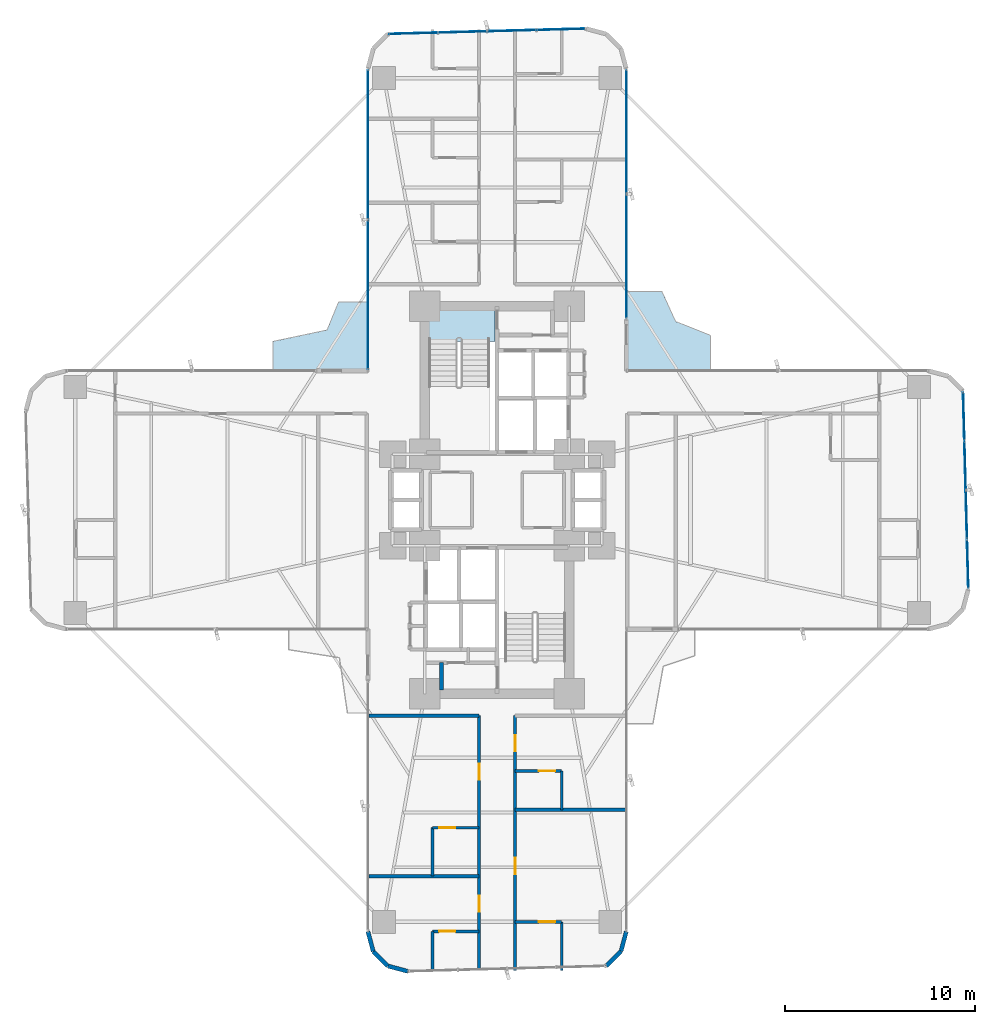
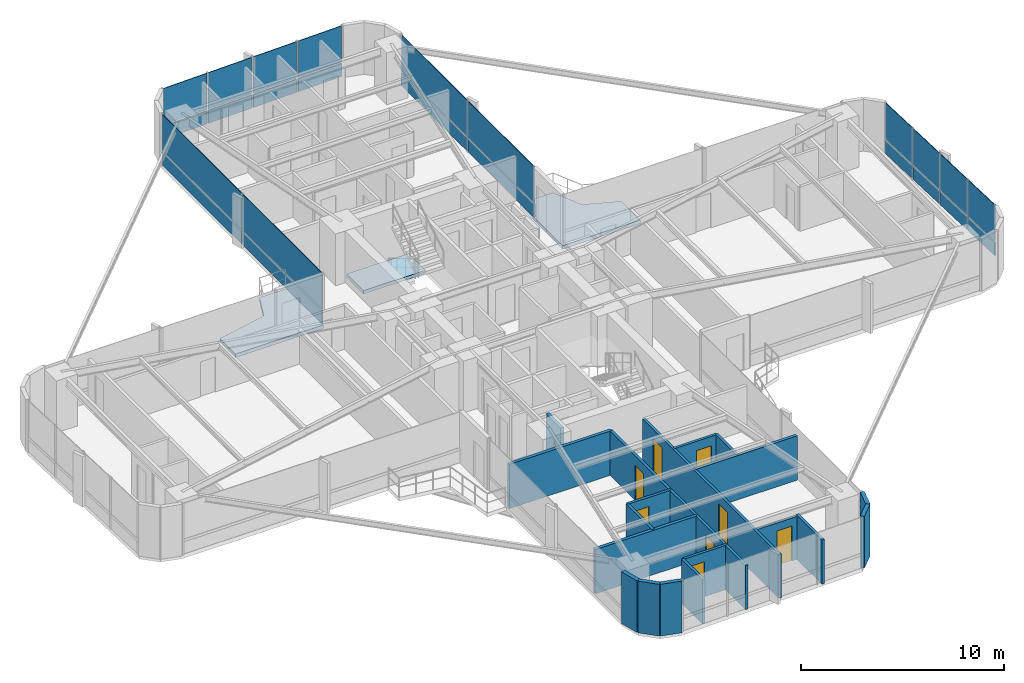
# One storey, part 21 of 26: 24 plates, 19 walls, 8 doors, 3 slabs, 8 openings, 4 elements without a shape of their own.
"""IFC4 building model written with IfcOpenShell, lengths in metres."""

import ifcopenshell
import ifcopenshell.guid

model = None  # the IFC model being written
_history = None  # IfcOwnerHistory: only IFC2X3 demands one
_inside = {}  # id of a spatial element -> (the spatial element, [elements in it])
_under = {}  # id of a project, library or spatial element -> (it, [spatial elements below it])
_declared = {}  # id of a project -> (the project, [libraries it declares])
_typed = {}  # id of a type object -> (the type object, [elements of that type])
_made_of = {}  # id of a material, layer set ... -> (it, [elements and type objects made of it])


def new_model(schema):
    """Start an empty IFC model of exactly this schema.

    Asked for "IFC4X3", IfcOpenShell would pick the latest addendum, in which some entities
    have other attributes; the version numbers below select the first issue.
    IFC2X3 requires an IfcOwnerHistory on every rooted entity: one is made here for all.
    """
    global model, _history
    if schema == "IFC4X3":
        model = ifcopenshell.file(schema_version=(4, 3, 0, 0))
    else:
        model = ifcopenshell.file(schema=schema)
    _inside.clear()
    _under.clear()
    _declared.clear()
    _typed.clear()
    _made_of.clear()
    _history = None
    if model.schema == "IFC2X3":
        org = make("IfcOrganization", Name="unknown")
        user = make(
            "IfcPersonAndOrganization",
            ThePerson=make("IfcPerson", FamilyName="unknown"),
            TheOrganization=org,
        )
        app = make(
            "IfcApplication",
            ApplicationDeveloper=org,
            Version="unknown",
            ApplicationFullName="unknown",
            ApplicationIdentifier="unknown",
        )
        _history = make(
            "IfcOwnerHistory",
            OwningUser=user,
            OwningApplication=app,
            ChangeAction="ADDED",
            CreationDate=0,
        )
    return model


def make(cls, **values):
    """One entity of the class cls with the attributes given. An attribute that is None is left unset."""
    return model.create_entity(
        cls, **{name: value for name, value in values.items() if value is not None}
    )


def rooted(cls, **values):
    """An entity with a GlobalId (a new one), such as an element, a storey or a relation."""
    return make(cls, GlobalId=ifcopenshell.guid.new(), OwnerHistory=_history, **values)


def si_unit(unit_type, name, prefix=None):
    """IfcSIUnit, for example si_unit("LENGTHUNIT", "METRE", prefix="MILLI")."""
    return make("IfcSIUnit", UnitType=unit_type, Prefix=prefix, Name=name)


def assignment(units):
    """IfcUnitAssignment: the units of a project."""
    return None if units is None else make("IfcUnitAssignment", Units=units)


def point(xyz):
    """IfcCartesianPoint."""
    return None if xyz is None else make("IfcCartesianPoint", Coordinates=xyz)


def direction(xyz):
    """IfcDirection."""
    return None if xyz is None else make("IfcDirection", DirectionRatios=xyz)


def frame(location, z_axis=None, x_axis=None):
    """IfcAxis2Placement3D, a coordinate frame: its origin and axes. An axis left out is left unset."""
    return make(
        "IfcAxis2Placement3D",
        Location=point(location),
        Axis=direction(z_axis),
        RefDirection=direction(x_axis),
    )


def frame_2d(location, x_axis=None):
    """IfcAxis2Placement2D, a coordinate frame in the plane: its origin and x axis."""
    return make(
        "IfcAxis2Placement2D", Location=point(location), RefDirection=direction(x_axis)
    )


def origin():
    """The frame at (0, 0, 0) with its axes left unset."""
    return frame((0.0, 0.0, 0.0))


def origin_2d():
    """The frame at (0, 0) in the plane with its x axis left unset."""
    return frame_2d((0.0, 0.0))


def place(relative_to, where):
    """IfcLocalPlacement: puts the frame where relative to a parent placement (None: the world)."""
    return make(
        "IfcLocalPlacement", PlacementRelTo=relative_to, RelativePlacement=where
    )


def context(
    kind, dimensions, precision=None, world=None, true_north=None, identifier=None
):
    """IfcGeometricRepresentationContext, for example the 3D "Model" context."""
    return make(
        "IfcGeometricRepresentationContext",
        ContextIdentifier=identifier,
        ContextType=kind,
        CoordinateSpaceDimension=dimensions,
        Precision=precision,
        WorldCoordinateSystem=world,
        TrueNorth=true_north,
    )


def subcontext(parent, identifier, kind, view, scale=None):
    """IfcGeometricRepresentationSubContext, for example "Body" below "Model"."""
    return make(
        "IfcGeometricRepresentationSubContext",
        ContextIdentifier=identifier,
        ContextType=kind,
        ParentContext=parent,
        TargetScale=scale,
        TargetView=view,
    )


def project(units=None, contexts=None):
    """IfcProject with its units and contexts."""
    return rooted(
        "IfcProject",
        Name="project",
        RepresentationContexts=contexts,
        UnitsInContext=assignment(units),
    )


def spatial(cls, under=None, at=None, **own):
    """A site, building, storey or space (cls), placed at a placement, below another one or the project."""
    s = rooted(cls, ObjectPlacement=at, **own)
    if under is not None:
        _under.setdefault(under.id(), (under, []))[1].append(s)
    return s


def polyline(points):
    """IfcPolyline through the points."""
    return make("IfcPolyline", Points=[point(p) for p in points])


def profile(cls, at=None, kind="AREA", **sizes):
    """A parametric profile (cls). Its sizes go by their IFC names, for example OverallWidth=200.0."""
    return make(cls, ProfileType=kind, Position=at, **sizes)


def rectangle(**sizes):
    """IfcRectangleProfileDef."""
    return profile("IfcRectangleProfileDef", **sizes)


def outline(outer, holes=None, kind="AREA"):
    """IfcArbitraryClosedProfileDef: a profile drawn as a closed curve; with holes, ...WithVoids."""
    if holes is None:
        return make("IfcArbitraryClosedProfileDef", ProfileType=kind, OuterCurve=outer)
    return make(
        "IfcArbitraryProfileDefWithVoids",
        ProfileType=kind,
        OuterCurve=outer,
        InnerCurves=holes,
    )


def extrude(swept, where, along, depth):
    """IfcExtrudedAreaSolid: the profile swept, set in the frame where, extruded along a direction by depth."""
    return make(
        "IfcExtrudedAreaSolid",
        SweptArea=swept,
        Position=where,
        ExtrudedDirection=direction(along),
        Depth=depth,
    )


def shape(context_of_items, identifier, shape_type, items):
    """IfcShapeRepresentation: the items that make up one representation, for example the "Body"."""
    return make(
        "IfcShapeRepresentation",
        ContextOfItems=context_of_items,
        RepresentationIdentifier=identifier,
        RepresentationType=shape_type,
        Items=items,
    )


def source(mapping_origin, context_of_items, identifier, shape_type, items):
    """IfcRepresentationMap: a shape defined once, which mapped items show again and again."""
    return make(
        "IfcRepresentationMap",
        MappingOrigin=mapping_origin,
        MappedRepresentation=shape(context_of_items, identifier, shape_type, items),
    )


def transform(
    local_origin,
    x_axis=None,
    y_axis=None,
    z_axis=None,
    scale=None,
    scale2=None,
    scale3=None,
    uniform=True,
):
    """IfcCartesianTransformationOperator3D, or its non-uniform kind. x_axis, y_axis, z_axis: its Axis1, 2, 3."""
    if uniform:
        return make(
            "IfcCartesianTransformationOperator3D",
            Axis1=direction(x_axis),
            Axis2=direction(y_axis),
            LocalOrigin=point(local_origin),
            Scale=scale,
            Axis3=direction(z_axis),
        )
    return make(
        "IfcCartesianTransformationOperator3DnonUniform",
        Axis1=direction(x_axis),
        Axis2=direction(y_axis),
        LocalOrigin=point(local_origin),
        Scale=scale,
        Axis3=direction(z_axis),
        Scale2=scale2,
        Scale3=scale3,
    )


def mapped(mapping_source, mapping_target):
    """IfcMappedItem: shows the shape of a source again, moved by a transform."""
    return make(
        "IfcMappedItem", MappingSource=mapping_source, MappingTarget=mapping_target
    )


def material(Name=None, Category=None):
    """IfcMaterial."""
    return make("IfcMaterial", Name=Name, Category=Category)


def layer(
    of_material, thickness, ventilated=None, Name=None, Category=None, Priority=None
):
    """IfcMaterialLayer: one layer of a wall or slab, of a material (None: an air gap)."""
    return make(
        "IfcMaterialLayer",
        Material=of_material,
        LayerThickness=thickness,
        IsVentilated=ventilated,
        Name=Name,
        Category=Category,
        Priority=Priority,
    )


def layer_set(layers, Name=None):
    """IfcMaterialLayerSet."""
    return make("IfcMaterialLayerSet", MaterialLayers=layers, LayerSetName=Name)


def made_of(thing, what):
    """Note that an element or type object is made of a material, layer set ...; save() writes the relation."""
    if what is not None:
        _made_of.setdefault(what.id(), (what, []))[1].append(thing)
    return thing


def type_object(cls, material=None, **own):
    """A type object (cls), such as IfcWallType, which elements share."""
    return made_of(rooted(cls, **own), material)


def element(
    cls,
    number,
    at=None,
    inside=None,
    cuts=None,
    type_object=None,
    material=None,
    context=None,
    identifier="Body",
    shape_type=None,
    held_by="IfcProductDefinitionShape",
    body=None,
    shapes=None,
    **own,
):
    """One element of the class cls, such as IfcWall. Its Tag is "e" and its number.

    at: its placement. inside: the storey or other place that contains it. cuts: it is an
    opening in that element (IfcRelVoidsElement). A single representation is given by context,
    identifier, shape_type and body (its items); several are given by shapes. held_by: the class
    of the entity that holds the representations. save() writes the other relations.
    """
    e = rooted(cls, Tag="e%d" % number, ObjectPlacement=at, **own)
    if body is not None:
        shapes = [shape(context, identifier, shape_type, body)]
    if shapes is not None:
        e.Representation = make(held_by, Representations=shapes)
    if inside is not None:
        _inside.setdefault(inside.id(), (inside, []))[1].append(e)
    if cuts is not None:
        rooted(
            "IfcRelVoidsElement", RelatingBuildingElement=cuts, RelatedOpeningElement=e
        )
    if type_object is not None:
        _typed.setdefault(type_object.id(), (type_object, []))[1].append(e)
    return made_of(e, material)


def fill(opening, filler):
    """IfcRelFillsElement: the door or window that sits in an opening."""
    return rooted(
        "IfcRelFillsElement",
        RelatingOpeningElement=opening,
        RelatedBuildingElement=filler,
    )


def aggregate(whole, parts):
    """IfcRelAggregates: a whole, such as a stair, and the parts it consists of."""
    return rooted("IfcRelAggregates", RelatingObject=whole, RelatedObjects=parts)


def save(model, path):
    """Write the relations noted so far, then the file.

    IfcRelAggregates (storeys below a building ...), IfcRelContainedInSpatialStructure (elements
    in a storey), IfcRelDefinesByType, IfcRelAssociatesMaterial and IfcRelDeclares: one each for
    every whole, place, type object, material and project.
    """
    for whole, parts in _under.values():
        aggregate(whole, parts)
    for where, things in _inside.values():
        rooted(
            "IfcRelContainedInSpatialStructure",
            RelatedElements=things,
            RelatingStructure=where,
        )
    for kind, things in _typed.values():
        rooted("IfcRelDefinesByType", RelatedObjects=things, RelatingType=kind)
    for what, things in _made_of.values():
        rooted("IfcRelAssociatesMaterial", RelatedObjects=things, RelatingMaterial=what)
    for by, libraries in _declared.values():
        rooted("IfcRelDeclares", RelatingContext=by, RelatedDefinitions=libraries)
    model.write(path)


model = new_model("IFC4")

# Units and contexts
model_context = context("Model", 3, precision=1e-05, world=origin(), true_north=direction((0.0, 1.0)))
body_context = subcontext(model_context, "Body", "Model", "MODEL_VIEW")
ifc_project = project(units=[si_unit("LENGTHUNIT", "METRE"), si_unit("AREAUNIT", "SQUARE_METRE"), si_unit("VOLUMEUNIT", "CUBIC_METRE"), si_unit("PLANEANGLEUNIT", "RADIAN"), si_unit("MASSUNIT", "GRAM", prefix="KILO")], contexts=[model_context])

# Site, building, storey
site_placement = place(None, origin())
site = spatial("IfcSite", under=ifc_project, at=site_placement, CompositionType="ELEMENT")
building_placement = place(site_placement, origin())
building = spatial("IfcBuilding", under=site, at=building_placement, Name="Sahyath Konkavel Grand Hotel", CompositionType="ELEMENT")
storey_placement = place(building_placement, frame((0.0, 0.0, 61.10009765625)))
storey = spatial("IfcBuildingStorey", under=building, at=storey_placement, Name="L16", CompositionType="ELEMENT", Elevation=61.10009765625)

# Slabs
ifc_material_1 = material(Name="Concrete C40/50", Category="concrete")
ifc_layer_1 = layer(ifc_material_1, 0.219970703125)
ifc_layer_set_1 = layer_set([ifc_layer_1], Name="Concrete C40/50")
slab_type_1 = type_object("IfcSlabType", Name="SLB-BALCONY-220", PredefinedType="FLOOR", material=ifc_layer_set_1)
slab_1_placement = place(storey_placement, frame((0.0, 0.0, -0.22021484375)))
element("IfcSlab", 1, at=slab_1_placement, inside=storey, type_object=slab_type_1, Name="L16 Winter-Garden Balcony NE", PredefinedType="FLOOR", context=body_context, shape_type="SweptSolid", body=[
    extrude(outline(polyline([(6.800048828125, 6.800048828125), (11.219970703125, 6.800048828125), (11.219970703125, 8.666259765625), (9.39208984375, 9.39208984375), (8.666259765625, 10.97998046875), (6.800048828125, 10.97998046875), (6.800048828125, 6.800048828125)])), origin(), (0.0, 0.0, 1.0), 0.22021484375),
])
slab_2_placement = place(storey_placement, frame((0.0, 0.0, -0.22021484375)))
element("IfcSlab", 2, at=slab_2_placement, inside=storey, type_object=slab_type_1, Name="L16 Winter-Garden Balcony NW", PredefinedType="FLOOR", context=body_context, shape_type="SweptSolid", body=[
    extrude(outline(polyline([(-6.800048828125, 6.800048828125), (-6.800048828125, 10.409912109375), (-8.344482421875, 10.409912109375), (-8.945068359375, 8.945068359375), (-11.7900390625, 8.344482421875), (-11.7900390625, 6.800048828125), (-6.800048828125, 6.800048828125)])), origin(), (0.0, 0.0, 1.0), 0.22021484375),
])
ifc_layer_2 = layer(ifc_material_1, 0.199951171875)
ifc_layer_set_2 = layer_set([ifc_layer_2], Name="Concrete C40/50")
slab_type_2 = type_object("IfcSlabType", Name="SLB-STAIR-LND", PredefinedType="LANDING", material=ifc_layer_set_2)
slab_3_placement = place(storey_placement, frame((0.0, 0.0, -0.2001953125)))
element("IfcSlab", 3, at=slab_3_placement, inside=storey, type_object=slab_type_2, Name="L16 Stair ST-1 Floor Landing Slab", PredefinedType="LANDING", context=body_context, shape_type="SweptSolid", body=[
    extrude(outline(polyline([(-3.6201171875, 8.35009765625), (-0.10009765625, 8.35009765625), (-0.10009765625, 10.02001953125), (-3.6201171875, 10.02001953125), (-3.6201171875, 8.35009765625)])), origin(), (0.0, 0.0, 1.0), 0.2001953125),
])

# Curtain wall, plates
ifc_material_2 = material(Name="Anodised Bronze Aluminium & Low-E Glazing", Category="aluminium")
curtain_wall_type = type_object("IfcCurtainWallType", Name="CW-ZONE1", PredefinedType="NOTDEFINED", material=ifc_material_2)
curtain_wall_1_placement = place(storey_placement, origin())
curtain_wall_1 = element("IfcCurtainWall", 4, at=curtain_wall_1_placement, inside=storey, type_object=curtain_wall_type, Name="L16 Unitised Curtain Wall F15", PredefinedType="NOTDEFINED")
ifc_material_3 = material(Name="Warm Buff Sandstone Cladding", Category="masonry")
ifc_layer_3 = layer(ifc_material_3, 0.074951171875)
ifc_layer_set_3 = layer_set([ifc_layer_3], Name="Warm Buff Sandstone Cladding")
plate_type_1 = type_object("IfcPlateType", Name="PNL-SPANDREL-STONE", PredefinedType="SHEET", material=ifc_layer_set_3)
shared_shape_1 = source(origin(), body_context, "Body", "SweptSolid", [
    extrude(rectangle(XDim=7.830078125, YDim=0.074951171875, at=origin_2d()), origin(), (0.0, 0.0, 1.0), 0.77001953125),
])
plate_1_placement = place(storey_placement, frame((-6.800048828125, 18.705078125, 0.039794921875), z_axis=(0.0, 0.0, 1.0), x_axis=(0.0, -1.0, 0.0)))
plate_1 = element("IfcPlate", 5, at=plate_1_placement, type_object=plate_type_1, Name="L16 Sandstone Relief Spandrel Panel F15-0", PredefinedType="SHEET", context=body_context, shape_type="MappedRepresentation", body=[
    mapped(shared_shape_1, transform((0.0, 0.0, 0.0), scale=1.0)),
])
plate_2_placement = place(storey_placement, frame((-6.800048828125, 10.794921875, 0.039794921875), z_axis=(0.0, 0.0, 1.0), x_axis=(0.0, -1.0, 0.0)))
plate_2 = element("IfcPlate", 6, at=plate_2_placement, type_object=plate_type_1, Name="L16 Sandstone Relief Spandrel Panel F15-1", PredefinedType="SHEET", context=body_context, shape_type="MappedRepresentation", body=[
    mapped(shared_shape_1, transform((0.0, 0.0, 0.0), scale=1.0)),
])
ifc_material_4 = material(Name="Low-E Solar Control Double Glazing", Category="glass")
ifc_layer_4 = layer(ifc_material_4, 0.035888671875)
ifc_layer_set_4 = layer_set([ifc_layer_4], Name="Low-E Solar Control Double Glazing")
plate_type_2 = type_object("IfcPlateType", Name="PNL-VISION-LOWE", PredefinedType="CURTAIN_PANEL", material=ifc_layer_set_4)
shared_shape_2 = source(origin(), body_context, "Body", "SweptSolid", [
    extrude(rectangle(XDim=7.830078125, YDim=0.035888671875, at=origin_2d()), origin(), (0.0, 0.0, 1.0), 2.179931640625),
])
plate_3_placement = place(storey_placement, frame((-6.800048828125, 18.705078125, 0.89013671875), z_axis=(0.0, 0.0, 1.0), x_axis=(0.0, -1.0, 0.0)))
plate_3 = element("IfcPlate", 7, at=plate_3_placement, type_object=plate_type_2, Name="L16 Low-E Vision Glazing Panel F15-0", PredefinedType="CURTAIN_PANEL", context=body_context, shape_type="MappedRepresentation", body=[
    mapped(shared_shape_2, transform((0.0, 0.0, 0.0), scale=1.0)),
])
plate_4_placement = place(storey_placement, frame((-6.800048828125, 10.794921875, 0.89013671875), z_axis=(0.0, 0.0, 1.0), x_axis=(0.0, -1.0, 0.0)))
plate_4 = element("IfcPlate", 8, at=plate_4_placement, type_object=plate_type_2, Name="L16 Low-E Vision Glazing Panel F15-1", PredefinedType="CURTAIN_PANEL", context=body_context, shape_type="MappedRepresentation", body=[
    mapped(shared_shape_2, transform((0.0, 0.0, 0.0), scale=1.0)),
])
aggregate(curtain_wall_1, [plate_1, plate_3, plate_2, plate_4])

curtain_wall_2_placement = place(storey_placement, origin())
curtain_wall_2 = element("IfcCurtainWall", 9, at=curtain_wall_2_placement, inside=storey, type_object=curtain_wall_type, Name="L16 Unitised Curtain Wall F4", PredefinedType="NOTDEFINED")
shared_shape_3 = source(origin(), body_context, "Body", "SweptSolid", [
    extrude(rectangle(XDim=2.513427734375, YDim=0.074951171875, at=origin_2d()), origin(), (0.0, 0.0, 1.0), 0.77001953125),
])
plate_5_placement = place(storey_placement, frame((24.763916015625, -3.36376953125, 0.039794921875), z_axis=(0.0, 0.0, 1.0), x_axis=(-0.026909728301, 0.999637867691, 0.0)))
plate_5 = element("IfcPlate", 10, at=plate_5_placement, type_object=plate_type_1, Name="L16 Sandstone Relief Spandrel Panel F4-0", PredefinedType="SHEET", context=body_context, shape_type="MappedRepresentation", body=[
    mapped(shared_shape_3, transform((0.0, 0.0, 0.0), scale=1.0)),
])
plate_6_placement = place(storey_placement, frame((24.694091796875, -0.771240234375, 0.039794921875), z_axis=(0.0, 0.0, 1.0), x_axis=(-0.026909728301, 0.999637867691, 0.0)))
plate_6 = element("IfcPlate", 11, at=plate_6_placement, type_object=plate_type_1, Name="L16 Sandstone Relief Spandrel Panel F4-1", PredefinedType="SHEET", context=body_context, shape_type="MappedRepresentation", body=[
    mapped(shared_shape_3, transform((0.0, 0.0, 0.0), scale=1.0)),
])
plate_7_placement = place(storey_placement, frame((24.62451171875, 1.8212890625, 0.039794921875), z_axis=(0.0, 0.0, 1.0), x_axis=(-0.026909728301, 0.999637867691, 0.0)))
plate_7 = element("IfcPlate", 12, at=plate_7_placement, type_object=plate_type_1, Name="L16 Sandstone Relief Spandrel Panel F4-2", PredefinedType="SHEET", context=body_context, shape_type="MappedRepresentation", body=[
    mapped(shared_shape_3, transform((0.0, 0.0, 0.0), scale=1.0)),
])
plate_8_placement = place(storey_placement, frame((24.5546875, 4.413818359375, 0.039794921875), z_axis=(0.0, 0.0, 1.0), x_axis=(-0.026909728301, 0.999637867691, 0.0)))
plate_8 = element("IfcPlate", 13, at=plate_8_placement, type_object=plate_type_1, Name="L16 Sandstone Relief Spandrel Panel F4-3", PredefinedType="SHEET", context=body_context, shape_type="MappedRepresentation", body=[
    mapped(shared_shape_3, transform((0.0, 0.0, 0.0), scale=1.0)),
])

curtain_wall_3_placement = place(storey_placement, origin())
curtain_wall_3 = element("IfcCurtainWall", 14, at=curtain_wall_3_placement, inside=storey, type_object=curtain_wall_type, Name="L16 Unitised Curtain Wall F12", PredefinedType="NOTDEFINED")
plate_9_placement = place(storey_placement, frame((3.36376953125, 24.763916015625, 0.039794921875), z_axis=(0.0, 0.0, 1.0), x_axis=(-0.999637867691, -0.026909728301, 0.0)))
plate_9 = element("IfcPlate", 15, at=plate_9_placement, type_object=plate_type_1, Name="L16 Sandstone Relief Spandrel Panel F12-0", PredefinedType="SHEET", context=body_context, shape_type="MappedRepresentation", body=[
    mapped(shared_shape_3, transform((0.0, 0.0, 0.0), scale=1.0)),
])
plate_10_placement = place(storey_placement, frame((0.771240234375, 24.694091796875, 0.039794921875), z_axis=(0.0, 0.0, 1.0), x_axis=(-0.999637867691, -0.026909728301, 0.0)))
plate_10 = element("IfcPlate", 16, at=plate_10_placement, type_object=plate_type_1, Name="L16 Sandstone Relief Spandrel Panel F12-1", PredefinedType="SHEET", context=body_context, shape_type="MappedRepresentation", body=[
    mapped(shared_shape_3, transform((0.0, 0.0, 0.0), scale=1.0)),
])
plate_11_placement = place(storey_placement, frame((-1.8212890625, 24.62451171875, 0.039794921875), z_axis=(0.0, 0.0, 1.0), x_axis=(-0.999637867691, -0.026909728301, 0.0)))
plate_11 = element("IfcPlate", 17, at=plate_11_placement, type_object=plate_type_1, Name="L16 Sandstone Relief Spandrel Panel F12-2", PredefinedType="SHEET", context=body_context, shape_type="MappedRepresentation", body=[
    mapped(shared_shape_3, transform((0.0, 0.0, 0.0), scale=1.0)),
])
plate_12_placement = place(storey_placement, frame((-4.413818359375, 24.5546875, 0.039794921875), z_axis=(0.0, 0.0, 1.0), x_axis=(-0.999637867691, -0.026909728301, 0.0)))
plate_12 = element("IfcPlate", 18, at=plate_12_placement, type_object=plate_type_1, Name="L16 Sandstone Relief Spandrel Panel F12-3", PredefinedType="SHEET", context=body_context, shape_type="MappedRepresentation", body=[
    mapped(shared_shape_3, transform((0.0, 0.0, 0.0), scale=1.0)),
])

# Plate
shared_shape_4 = source(origin(), body_context, "Body", "SweptSolid", [
    extrude(rectangle(XDim=2.513427734375, YDim=0.035888671875, at=origin_2d()), origin(), (0.0, 0.0, 1.0), 2.179931640625),
])
plate_13_placement = place(storey_placement, frame((24.763916015625, -3.36376953125, 0.89013671875), z_axis=(0.0, 0.0, 1.0), x_axis=(-0.026909728301, 0.999637867691, 0.0)))
plate_13 = element("IfcPlate", 19, at=plate_13_placement, type_object=plate_type_2, Name="L16 Low-E Vision Glazing Panel F4-0", PredefinedType="CURTAIN_PANEL", context=body_context, shape_type="MappedRepresentation", body=[
    mapped(shared_shape_4, transform((0.0, 0.0, 0.0), scale=1.0)),
])

plate_14_placement = place(storey_placement, frame((24.694091796875, -0.771240234375, 0.89013671875), z_axis=(0.0, 0.0, 1.0), x_axis=(-0.026909728301, 0.999637867691, 0.0)))
plate_14 = element("IfcPlate", 20, at=plate_14_placement, type_object=plate_type_2, Name="L16 Low-E Vision Glazing Panel F4-1", PredefinedType="CURTAIN_PANEL", context=body_context, shape_type="MappedRepresentation", body=[
    mapped(shared_shape_4, transform((0.0, 0.0, 0.0), scale=1.0)),
])

plate_15_placement = place(storey_placement, frame((24.62451171875, 1.8212890625, 0.89013671875), z_axis=(0.0, 0.0, 1.0), x_axis=(-0.026909728301, 0.999637867691, 0.0)))
plate_15 = element("IfcPlate", 21, at=plate_15_placement, type_object=plate_type_2, Name="L16 Low-E Vision Glazing Panel F4-2", PredefinedType="CURTAIN_PANEL", context=body_context, shape_type="MappedRepresentation", body=[
    mapped(shared_shape_4, transform((0.0, 0.0, 0.0), scale=1.0)),
])

plate_16_placement = place(storey_placement, frame((24.5546875, 4.413818359375, 0.89013671875), z_axis=(0.0, 0.0, 1.0), x_axis=(-0.026909728301, 0.999637867691, 0.0)))
plate_16 = element("IfcPlate", 22, at=plate_16_placement, type_object=plate_type_2, Name="L16 Low-E Vision Glazing Panel F4-3", PredefinedType="CURTAIN_PANEL", context=body_context, shape_type="MappedRepresentation", body=[
    mapped(shared_shape_4, transform((0.0, 0.0, 0.0), scale=1.0)),
])

aggregate(curtain_wall_2, [plate_5, plate_13, plate_6, plate_14, plate_7, plate_15, plate_8, plate_16])

plate_17_placement = place(storey_placement, frame((3.36376953125, 24.763916015625, 0.89013671875), z_axis=(0.0, 0.0, 1.0), x_axis=(-0.999637867691, -0.026909728301, 0.0)))
plate_17 = element("IfcPlate", 23, at=plate_17_placement, type_object=plate_type_2, Name="L16 Low-E Vision Glazing Panel F12-0", PredefinedType="CURTAIN_PANEL", context=body_context, shape_type="MappedRepresentation", body=[
    mapped(shared_shape_4, transform((0.0, 0.0, 0.0), scale=1.0)),
])

plate_18_placement = place(storey_placement, frame((0.771240234375, 24.694091796875, 0.89013671875), z_axis=(0.0, 0.0, 1.0), x_axis=(-0.999637867691, -0.026909728301, 0.0)))
plate_18 = element("IfcPlate", 24, at=plate_18_placement, type_object=plate_type_2, Name="L16 Low-E Vision Glazing Panel F12-1", PredefinedType="CURTAIN_PANEL", context=body_context, shape_type="MappedRepresentation", body=[
    mapped(shared_shape_4, transform((0.0, 0.0, 0.0), scale=1.0)),
])

plate_19_placement = place(storey_placement, frame((-1.8212890625, 24.62451171875, 0.89013671875), z_axis=(0.0, 0.0, 1.0), x_axis=(-0.999637867691, -0.026909728301, 0.0)))
plate_19 = element("IfcPlate", 25, at=plate_19_placement, type_object=plate_type_2, Name="L16 Low-E Vision Glazing Panel F12-2", PredefinedType="CURTAIN_PANEL", context=body_context, shape_type="MappedRepresentation", body=[
    mapped(shared_shape_4, transform((0.0, 0.0, 0.0), scale=1.0)),
])

plate_20_placement = place(storey_placement, frame((-4.413818359375, 24.5546875, 0.89013671875), z_axis=(0.0, 0.0, 1.0), x_axis=(-0.999637867691, -0.026909728301, 0.0)))
plate_20 = element("IfcPlate", 26, at=plate_20_placement, type_object=plate_type_2, Name="L16 Low-E Vision Glazing Panel F12-3", PredefinedType="CURTAIN_PANEL", context=body_context, shape_type="MappedRepresentation", body=[
    mapped(shared_shape_4, transform((0.0, 0.0, 0.0), scale=1.0)),
])

aggregate(curtain_wall_3, [plate_9, plate_17, plate_10, plate_18, plate_11, plate_19, plate_12, plate_20])

# Curtain wall, plates
curtain_wall_4_placement = place(storey_placement, origin())
curtain_wall_4 = element("IfcCurtainWall", 27, at=curtain_wall_4_placement, inside=storey, type_object=curtain_wall_type, Name="L16 Unitised Curtain Wall F8", PredefinedType="NOTDEFINED")
shared_shape_5 = source(origin(), body_context, "Body", "SweptSolid", [
    extrude(rectangle(XDim=6.47998046875, YDim=0.074951171875, at=origin_2d()), origin(), (0.0, 0.0, 1.0), 0.77001953125),
])
plate_21_placement = place(storey_placement, frame((6.800048828125, 12.820068359375, 0.039794921875), z_axis=(0.0, 0.0, 1.0), x_axis=(0.0, 1.0, 0.0)))
plate_21 = element("IfcPlate", 28, at=plate_21_placement, type_object=plate_type_1, Name="L16 Sandstone Relief Spandrel Panel F8-0", PredefinedType="SHEET", context=body_context, shape_type="MappedRepresentation", body=[
    mapped(shared_shape_5, transform((0.0, 0.0, 0.0), scale=1.0)),
])
plate_22_placement = place(storey_placement, frame((6.800048828125, 19.3798828125, 0.039794921875), z_axis=(0.0, 0.0, 1.0), x_axis=(0.0, 1.0, 0.0)))
plate_22 = element("IfcPlate", 29, at=plate_22_placement, type_object=plate_type_1, Name="L16 Sandstone Relief Spandrel Panel F8-1", PredefinedType="SHEET", context=body_context, shape_type="MappedRepresentation", body=[
    mapped(shared_shape_5, transform((0.0, 0.0, 0.0), scale=1.0)),
])
shared_shape_6 = source(origin(), body_context, "Body", "SweptSolid", [
    extrude(rectangle(XDim=6.47998046875, YDim=0.035888671875, at=origin_2d()), origin(), (0.0, 0.0, 1.0), 2.179931640625),
])
plate_23_placement = place(storey_placement, frame((6.800048828125, 12.820068359375, 0.89013671875), z_axis=(0.0, 0.0, 1.0), x_axis=(0.0, 1.0, 0.0)))
plate_23 = element("IfcPlate", 30, at=plate_23_placement, type_object=plate_type_2, Name="L16 Low-E Vision Glazing Panel F8-0", PredefinedType="CURTAIN_PANEL", context=body_context, shape_type="MappedRepresentation", body=[
    mapped(shared_shape_6, transform((0.0, 0.0, 0.0), scale=1.0)),
])
plate_24_placement = place(storey_placement, frame((6.800048828125, 19.3798828125, 0.89013671875), z_axis=(0.0, 0.0, 1.0), x_axis=(0.0, 1.0, 0.0)))
plate_24 = element("IfcPlate", 31, at=plate_24_placement, type_object=plate_type_2, Name="L16 Low-E Vision Glazing Panel F8-1", PredefinedType="CURTAIN_PANEL", context=body_context, shape_type="MappedRepresentation", body=[
    mapped(shared_shape_6, transform((0.0, 0.0, 0.0), scale=1.0)),
])
aggregate(curtain_wall_4, [plate_21, plate_23, plate_22, plate_24])

# Walls
ifc_material_5 = material(Name="Warm Buff Sandstone Insulated Concrete C40/50", Category="masonry")
ifc_layer_5 = layer(ifc_material_5, 0.219970703125)
ifc_layer_set_5 = layer_set([ifc_layer_5], Name="Warm Buff Sandstone Insulated Concrete C40/50")
wall_type_1 = type_object("IfcWallType", Name="WLL-BALC-THRESH", PredefinedType="STANDARD", material=ifc_layer_set_5)
for number, where, z_axis, x_axis, name in (
    (32, (-6.800048828125, -22.699951171875, 0.0), (0.0, 0.0, 1.0), (0.25872485917, -0.965951058412, 0.0), "L16 Rounded Corner Sandstone Pier 25"),
    (33, (-6.518798828125, -23.75, 0.0), (0.0, 0.0, 1.0), (0.707106781187, -0.707106781187, 0.0), "L16 Rounded Corner Sandstone Pier 26"),
    (34, (-5.75, -24.518798828125, 0.0), (0.0, 0.0, 1.0), (0.965951058412, -0.25872485917, 0.0), "L16 Rounded Corner Sandstone Pier 27"),
    (35, (5.75, -24.518798828125, 0.0), (0.0, 0.0, 1.0), (0.707106781187, 0.707106781187, 0.0), "L16 Rounded Corner Sandstone Pier 29"),
    (36, (6.518798828125, -23.75, 0.0), (0.0, 0.0, 1.0), (0.25872485917, 0.965951058412, 0.0), "L16 Rounded Corner Sandstone Pier 30"),
):
    element("IfcWall", number, at=place(storey_placement, frame(where, z_axis=z_axis, x_axis=x_axis)), inside=storey, type_object=wall_type_1, Name=name, PredefinedType="STANDARD", context=body_context, shape_type="SweptSolid", body=[
        extrude(rectangle(XDim=1.087158203125, YDim=0.219970703125, at=frame_2d((0.54345703125, 0.0))), origin(), (0.0, 0.0, 1.0), 3.10986328125),
    ])
ifc_layer_6 = layer(ifc_material_1, 0.199951171875)
ifc_layer_set_6 = layer_set([ifc_layer_6], Name="Concrete C40/50")
wall_type_2 = type_object("IfcWallType", Name="WLL-CORE-200", PredefinedType="SOLIDWALL", material=ifc_layer_set_6)
wall_1_placement = place(storey_placement, frame((-2.919921875, -10.0, 0.0), z_axis=(0.0, 0.0, 1.0), x_axis=(0.0, 1.0, 0.0)))
element("IfcWall", 37, at=wall_1_placement, inside=storey, type_object=wall_type_2, Name="L16 Partition SFF-W2", PredefinedType="SOLIDWALL", context=body_context, shape_type="SweptSolid", body=[
    extrude(rectangle(XDim=1.43994140625, YDim=0.199951171875, at=frame_2d((0.719970703125, 0.0))), origin(), (0.0, 0.0, 1.0), 2.659912109375),
])
ifc_material_6 = material(Name="Twin-Stud Acoustic Gypsum Plasterboard Partition")
ifc_layer_7 = layer(ifc_material_6, 0.179931640625)
ifc_layer_set_7 = layer_set([ifc_layer_7], Name="Twin-Stud Acoustic Gypsum Plasterboard Partition")
wall_type_3 = type_object("IfcWallType", Name="WLL-DEMISE-180", PredefinedType="PARTITIONING", material=ifc_layer_set_7)
for number, where, z_axis, x_axis, name in (
    (38, (-6.75, -11.35009765625, 0.0), (0.0, 0.0, 1.0), (1.0, 0.0, 0.0), "L16 Partition S-INR"),
    (39, (0.949951171875, -16.30810546875, 0.0), (0.0, 0.0, 1.0), (1.0, 0.0, 0.0), "L16 Partition S-S1L-DEM"),
    (40, (-0.949951171875, -19.7919921875, 0.0), (0.0, 0.0, 1.0), (-1.0, 0.0, 0.0), "L16 Partition S-S1R-DEM"),
):
    element("IfcWall", number, at=place(storey_placement, frame(where, z_axis=z_axis, x_axis=x_axis)), inside=storey, type_object=wall_type_3, Name=name, PredefinedType="PARTITIONING", context=body_context, shape_type="SweptSolid", body=[
        extrude(rectangle(XDim=5.800048828125, YDim=0.179931640625, at=frame_2d((2.89990234375, 0.0))), origin(), (0.0, 0.0, 1.0), 2.659912109375),
    ])

# Wall, openings, doors
ifc_material_7 = material(Name="Fire-Rated Gypsum Plasterboard Partition")
ifc_layer_8 = layer(ifc_material_7, 0.14990234375)
ifc_layer_set_8 = layer_set([ifc_layer_8], Name="Fire-Rated Gypsum Plasterboard Partition")
wall_type_4 = type_object("IfcWallType", Name="WLL-PART-150", PredefinedType="PARTITIONING", material=ifc_layer_set_8)
wall_2_placement = place(storey_placement, frame((0.949951171875, -11.35009765625, 0.0), z_axis=(0.0, 0.0, 1.0), x_axis=(0.0, -1.0, 0.0)))
wall_2 = element("IfcWall", 41, at=wall_2_placement, inside=storey, type_object=wall_type_4, Name="L16 Partition S-CL", PredefinedType="PARTITIONING", context=body_context, shape_type="SweptSolid", body=[
    extrude(rectangle(XDim=13.39990234375, YDim=0.14990234375, at=frame_2d((6.699951171875, 0.0))), origin(), (0.0, 0.0, 1.0), 2.659912109375),
])
opening_1_placement = place(wall_2_placement, frame((1.029052734375, 0.0, 0.0)))
opening_1 = element("IfcOpeningElement", 42, at=opening_1_placement, cuts=wall_2, Name="Opening D-F06D", PredefinedType="OPENING", context=body_context, shape_type="SweptSolid", body=[
    extrude(rectangle(XDim=0.85009765625, YDim=2.10009765625, at=frame_2d((0.425048828125, 1.050048828125))), frame((0.0, 0.0849609375, 0.0), z_axis=(0.0, -1.0, 0.0), x_axis=(1.0, 0.0, 0.0)), (0.0, 0.0, 1.0), 0.169921875),
])
opening_2_placement = place(wall_2_placement, frame((7.47900390625, 0.0, 0.0)))
opening_2 = element("IfcOpeningElement", 43, at=opening_2_placement, cuts=wall_2, Name="Opening D-F06D", PredefinedType="OPENING", context=body_context, shape_type="SweptSolid", body=[
    extrude(rectangle(XDim=0.85009765625, YDim=2.10009765625, at=frame_2d((0.425048828125, 1.050048828125))), frame((0.0, 0.0849609375, 0.0), z_axis=(0.0, -1.0, 0.0), x_axis=(1.0, 0.0, 0.0)), (0.0, 0.0, 1.0), 0.169921875),
])
ifc_material_8 = material(Name="Fire-Rated Shaft Access Door")
door_type_1 = type_object("IfcDoorType", Name="DR-FD60-850", OperationType="NOTDEFINED", PredefinedType="DOOR", material=ifc_material_8)
shared_shape_7 = source(origin(), body_context, "Body", "SweptSolid", [
    extrude(rectangle(XDim=0.85009765625, YDim=0.050048828125, at=origin_2d()), origin(), (0.0, 0.0, 1.0), 2.10009765625),
])
door_1_placement = place(opening_1_placement, frame((0.425048828125, 0.0, 0.0)))
door_1 = element("IfcDoor", 44, at=door_1_placement, inside=storey, type_object=door_type_1, Name="L16 Door S-S1L-ED", OperationType="SINGLE_SWING_LEFT", OverallHeight=2.10009765625, OverallWidth=0.85009765625, PredefinedType="DOOR", context=body_context, shape_type="MappedRepresentation", body=[
    mapped(shared_shape_7, transform((0.0, 0.0, 0.0), scale=1.0)),
])
fill(opening_1, door_1)
door_2_placement = place(opening_2_placement, frame((0.425048828125, 0.0, 0.0)))
door_2 = element("IfcDoor", 45, at=door_2_placement, inside=storey, type_object=door_type_1, Name="L16 Door S-S2L-ED", OperationType="SINGLE_SWING_LEFT", OverallHeight=2.10009765625, OverallWidth=0.85009765625, PredefinedType="DOOR", context=body_context, shape_type="MappedRepresentation", body=[
    mapped(shared_shape_7, transform((0.0, 0.0, 0.0), scale=1.0)),
])
fill(opening_2, door_2)

wall_3_placement = place(storey_placement, frame((-0.949951171875, -11.35009765625, 0.0), z_axis=(0.0, 0.0, 1.0), x_axis=(0.0, -1.0, 0.0)))
wall_3 = element("IfcWall", 46, at=wall_3_placement, inside=storey, type_object=wall_type_4, Name="L16 Partition S-CR", PredefinedType="PARTITIONING", context=body_context, shape_type="SweptSolid", body=[
    extrude(rectangle(XDim=13.39990234375, YDim=0.14990234375, at=frame_2d((6.699951171875, 0.0))), origin(), (0.0, 0.0, 1.0), 2.659912109375),
])
opening_3_placement = place(wall_3_placement, frame((2.52099609375, 0.0, 0.0)))
opening_3 = element("IfcOpeningElement", 47, at=opening_3_placement, cuts=wall_3, Name="Opening D-F06D", PredefinedType="OPENING", context=body_context, shape_type="SweptSolid", body=[
    extrude(rectangle(XDim=0.85009765625, YDim=2.10009765625, at=frame_2d((0.425048828125, 1.050048828125))), frame((0.0, 0.0849609375, 0.0), z_axis=(0.0, -1.0, 0.0), x_axis=(1.0, 0.0, 0.0)), (0.0, 0.0, 1.0), 0.169921875),
])
opening_4_placement = place(wall_3_placement, frame((9.470947265625, 0.0, 0.0)))
opening_4 = element("IfcOpeningElement", 48, at=opening_4_placement, cuts=wall_3, Name="Opening D-F06D", PredefinedType="OPENING", context=body_context, shape_type="SweptSolid", body=[
    extrude(rectangle(XDim=0.85009765625, YDim=2.10009765625, at=frame_2d((0.425048828125, 1.050048828125))), frame((0.0, 0.0849609375, 0.0), z_axis=(0.0, -1.0, 0.0), x_axis=(1.0, 0.0, 0.0)), (0.0, 0.0, 1.0), 0.169921875),
])
door_3_placement = place(opening_3_placement, frame((0.425048828125, 0.0, 0.0)))
door_3 = element("IfcDoor", 49, at=door_3_placement, inside=storey, type_object=door_type_1, Name="L16 Door S-S1R-ED", OperationType="SINGLE_SWING_LEFT", OverallHeight=2.10009765625, OverallWidth=0.85009765625, PredefinedType="DOOR", context=body_context, shape_type="MappedRepresentation", body=[
    mapped(shared_shape_7, transform((0.0, 0.0, 0.0), scale=1.0)),
])
fill(opening_3, door_3)
door_4_placement = place(opening_4_placement, frame((0.425048828125, 0.0, 0.0)))
door_4 = element("IfcDoor", 50, at=door_4_placement, inside=storey, type_object=door_type_1, Name="L16 Door S-S2R-ED", OperationType="SINGLE_SWING_LEFT", OverallHeight=2.10009765625, OverallWidth=0.85009765625, PredefinedType="DOOR", context=body_context, shape_type="MappedRepresentation", body=[
    mapped(shared_shape_7, transform((0.0, 0.0, 0.0), scale=1.0)),
])
fill(opening_4, door_4)

# Wall, opening, door
wall_4_placement = place(storey_placement, frame((0.949951171875, -14.258056640625, 0.0), z_axis=(0.0, 0.0, 1.0), x_axis=(1.0, 0.0, 0.0)))
wall_4 = element("IfcWall", 51, at=wall_4_placement, inside=storey, type_object=wall_type_4, Name="L16 Partition S-S1L-BS", PredefinedType="PARTITIONING", context=body_context, shape_type="SweptSolid", body=[
    extrude(rectangle(XDim=2.449951171875, YDim=0.14990234375, at=frame_2d((1.22509765625, 0.0))), origin(), (0.0, 0.0, 1.0), 2.659912109375),
])
opening_5_placement = place(wall_4_placement, frame((1.25, 0.0, 0.0)))
opening_5 = element("IfcOpeningElement", 52, at=opening_5_placement, cuts=wall_4, Name="Opening D-BT85", PredefinedType="OPENING", context=body_context, shape_type="SweptSolid", body=[
    extrude(rectangle(XDim=0.85009765625, YDim=2.10009765625, at=frame_2d((0.425048828125, 1.050048828125))), frame((0.0, 0.0849609375, 0.0), z_axis=(0.0, -1.0, 0.0), x_axis=(1.0, 0.0, 0.0)), (0.0, 0.0, 1.0), 0.169921875),
])
ifc_material_9 = material(Name="Moisture-Resistant Teak Bathroom Door")
door_type_2 = type_object("IfcDoorType", Name="DR-BATH-850", OperationType="NOTDEFINED", PredefinedType="DOOR", material=ifc_material_9)
door_5_placement = place(opening_5_placement, frame((0.425048828125, 0.0, 0.0)))
door_5 = element("IfcDoor", 53, at=door_5_placement, inside=storey, type_object=door_type_2, Name="L16 Door S-S1L-BD", OperationType="SINGLE_SWING_RIGHT", OverallHeight=2.10009765625, OverallWidth=0.85009765625, PredefinedType="DOOR", context=body_context, shape_type="MappedRepresentation", body=[
    mapped(shared_shape_7, transform((0.0, 0.0, 0.0), scale=1.0)),
])
fill(opening_5, door_5)

# Wall
wall_5_placement = place(storey_placement, frame((3.39990234375, -14.258056640625, 0.0), z_axis=(0.0, 0.0, 1.0), x_axis=(0.0, -1.0, 0.0)))
element("IfcWall", 54, at=wall_5_placement, inside=storey, type_object=wall_type_4, Name="L16 Partition S-S1L-BF", PredefinedType="PARTITIONING", context=body_context, shape_type="SweptSolid", body=[
    extrude(rectangle(XDim=2.050048828125, YDim=0.14990234375, at=frame_2d((1.02490234375, 0.0))), origin(), (0.0, 0.0, 1.0), 2.659912109375),
])

# Wall, opening, door
wall_6_placement = place(storey_placement, frame((0.949951171875, -22.199951171875, 0.0), z_axis=(0.0, 0.0, 1.0), x_axis=(1.0, 0.0, 0.0)))
wall_6 = element("IfcWall", 55, at=wall_6_placement, inside=storey, type_object=wall_type_4, Name="L16 Partition S-S2L-BS", PredefinedType="PARTITIONING", context=body_context, shape_type="SweptSolid", body=[
    extrude(rectangle(XDim=2.449951171875, YDim=0.14990234375, at=frame_2d((1.22509765625, 0.0))), origin(), (0.0, 0.0, 1.0), 2.579833984375),
])
opening_6_placement = place(wall_6_placement, frame((1.25, 0.0, 0.0)))
opening_6 = element("IfcOpeningElement", 56, at=opening_6_placement, cuts=wall_6, Name="Opening D-BT85", PredefinedType="OPENING", context=body_context, shape_type="SweptSolid", body=[
    extrude(rectangle(XDim=0.85009765625, YDim=2.10009765625, at=frame_2d((0.425048828125, 1.050048828125))), frame((0.0, 0.0849609375, 0.0), z_axis=(0.0, -1.0, 0.0), x_axis=(1.0, 0.0, 0.0)), (0.0, 0.0, 1.0), 0.169921875),
])
door_6_placement = place(opening_6_placement, frame((0.425048828125, 0.0, 0.0)))
door_6 = element("IfcDoor", 57, at=door_6_placement, inside=storey, type_object=door_type_2, Name="L16 Door S-S2L-BD", OperationType="SINGLE_SWING_RIGHT", OverallHeight=2.10009765625, OverallWidth=0.85009765625, PredefinedType="DOOR", context=body_context, shape_type="MappedRepresentation", body=[
    mapped(shared_shape_7, transform((0.0, 0.0, 0.0), scale=1.0)),
])
fill(opening_6, door_6)

# Wall
wall_7_placement = place(storey_placement, frame((3.39990234375, -22.199951171875, 0.0), z_axis=(0.0, 0.0, 1.0), x_axis=(0.0, -1.0, 0.0)))
element("IfcWall", 58, at=wall_7_placement, inside=storey, type_object=wall_type_4, Name="L16 Partition S-S2L-BF", PredefinedType="PARTITIONING", context=body_context, shape_type="SweptSolid", body=[
    extrude(rectangle(XDim=2.550048828125, YDim=0.14990234375, at=frame_2d((1.27490234375, 0.0))), origin(), (0.0, 0.0, 1.0), 2.659912109375),
])

# Wall, opening, door
wall_8_placement = place(storey_placement, frame((-0.949951171875, -17.241943359375, 0.0), z_axis=(0.0, 0.0, 1.0), x_axis=(-1.0, 0.0, 0.0)))
wall_8 = element("IfcWall", 59, at=wall_8_placement, inside=storey, type_object=wall_type_4, Name="L16 Partition S-S1R-BS", PredefinedType="PARTITIONING", context=body_context, shape_type="SweptSolid", body=[
    extrude(rectangle(XDim=2.449951171875, YDim=0.14990234375, at=frame_2d((1.22509765625, 0.0))), origin(), (0.0, 0.0, 1.0), 2.659912109375),
])
opening_7_placement = place(wall_8_placement, frame((1.25, 0.0, 0.0)))
opening_7 = element("IfcOpeningElement", 60, at=opening_7_placement, cuts=wall_8, Name="Opening D-BT85", PredefinedType="OPENING", context=body_context, shape_type="SweptSolid", body=[
    extrude(rectangle(XDim=0.85009765625, YDim=2.10009765625, at=frame_2d((0.425048828125, 1.050048828125))), frame((0.0, 0.0849609375, 0.0), z_axis=(0.0, -1.0, 0.0), x_axis=(1.0, 0.0, 0.0)), (0.0, 0.0, 1.0), 0.169921875),
])
door_7_placement = place(opening_7_placement, frame((0.425048828125, 0.0, 0.0)))
door_7 = element("IfcDoor", 61, at=door_7_placement, inside=storey, type_object=door_type_2, Name="L16 Door S-S1R-BD", OperationType="SINGLE_SWING_RIGHT", OverallHeight=2.10009765625, OverallWidth=0.85009765625, PredefinedType="DOOR", context=body_context, shape_type="MappedRepresentation", body=[
    mapped(shared_shape_7, transform((0.0, 0.0, 0.0), scale=1.0)),
])
fill(opening_7, door_7)

# Wall
wall_9_placement = place(storey_placement, frame((-3.39990234375, -17.241943359375, 0.0), z_axis=(0.0, 0.0, 1.0), x_axis=(0.0, -1.0, 0.0)))
element("IfcWall", 62, at=wall_9_placement, inside=storey, type_object=wall_type_4, Name="L16 Partition S-S1R-BF", PredefinedType="PARTITIONING", context=body_context, shape_type="SweptSolid", body=[
    extrude(rectangle(XDim=2.550048828125, YDim=0.14990234375, at=frame_2d((1.27490234375, 0.0))), origin(), (0.0, 0.0, 1.0), 2.659912109375),
])

# Wall, opening, door
wall_10_placement = place(storey_placement, frame((-0.949951171875, -22.699951171875, 0.0), z_axis=(0.0, 0.0, 1.0), x_axis=(-1.0, 0.0, 0.0)))
wall_10 = element("IfcWall", 63, at=wall_10_placement, inside=storey, type_object=wall_type_4, Name="L16 Partition S-S2R-BS", PredefinedType="PARTITIONING", context=body_context, shape_type="SweptSolid", body=[
    extrude(rectangle(XDim=2.449951171875, YDim=0.14990234375, at=frame_2d((1.22509765625, 0.0))), origin(), (0.0, 0.0, 1.0), 2.659912109375),
])
opening_8_placement = place(wall_10_placement, frame((1.25, 0.0, 0.0)))
opening_8 = element("IfcOpeningElement", 64, at=opening_8_placement, cuts=wall_10, Name="Opening D-BT85", PredefinedType="OPENING", context=body_context, shape_type="SweptSolid", body=[
    extrude(rectangle(XDim=0.85009765625, YDim=2.10009765625, at=frame_2d((0.425048828125, 1.050048828125))), frame((0.0, 0.0849609375, 0.0), z_axis=(0.0, -1.0, 0.0), x_axis=(1.0, 0.0, 0.0)), (0.0, 0.0, 1.0), 0.169921875),
])
door_8_placement = place(opening_8_placement, frame((0.425048828125, 0.0, 0.0)))
door_8 = element("IfcDoor", 65, at=door_8_placement, inside=storey, type_object=door_type_2, Name="L16 Door S-S2R-BD", OperationType="SINGLE_SWING_RIGHT", OverallHeight=2.10009765625, OverallWidth=0.85009765625, PredefinedType="DOOR", context=body_context, shape_type="MappedRepresentation", body=[
    mapped(shared_shape_7, transform((0.0, 0.0, 0.0), scale=1.0)),
])
fill(opening_8, door_8)

# Wall
wall_11_placement = place(storey_placement, frame((-3.39990234375, -22.699951171875, 0.0), z_axis=(0.0, 0.0, 1.0), x_axis=(0.0, -1.0, 0.0)))
element("IfcWall", 66, at=wall_11_placement, inside=storey, type_object=wall_type_4, Name="L16 Partition S-S2R-BF", PredefinedType="PARTITIONING", context=body_context, shape_type="SweptSolid", body=[
    extrude(rectangle(XDim=2.050048828125, YDim=0.14990234375, at=frame_2d((1.02490234375, 0.0))), origin(), (0.0, 0.0, 1.0), 2.659912109375),
])

save(model, "model.ifc")
